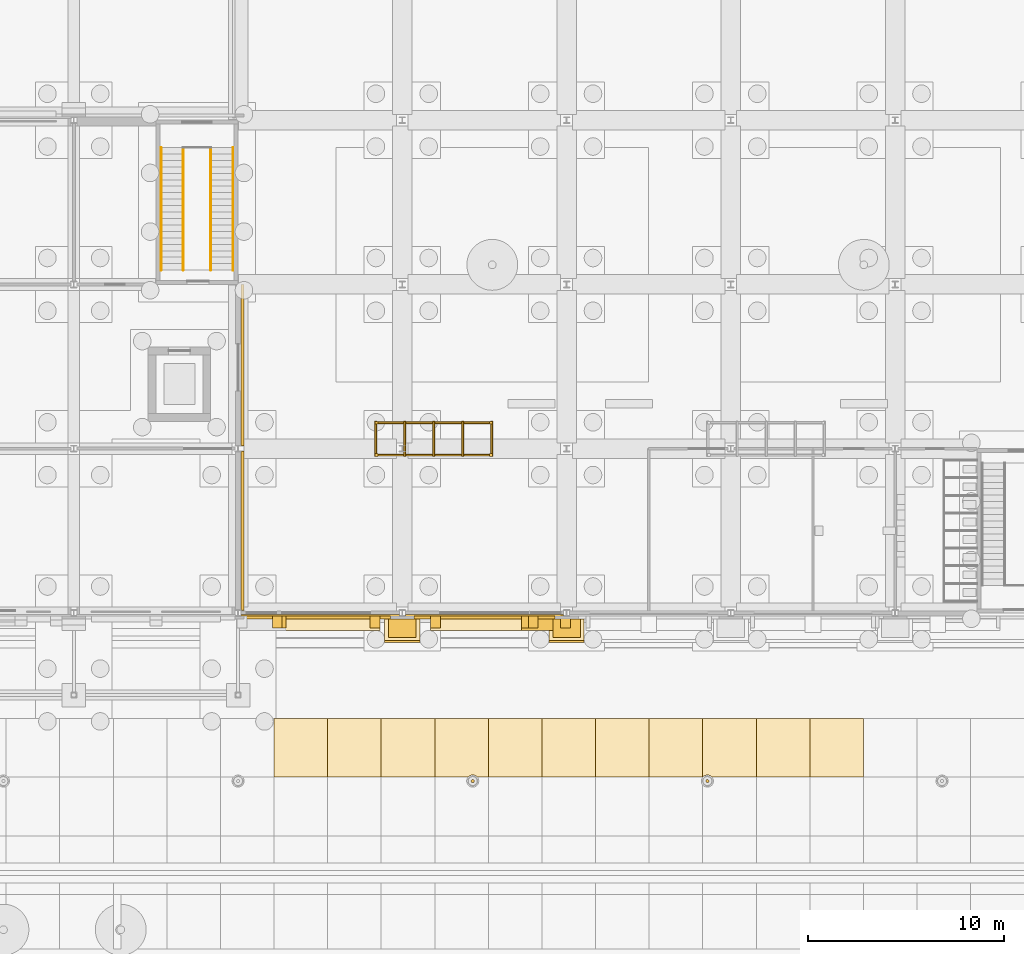
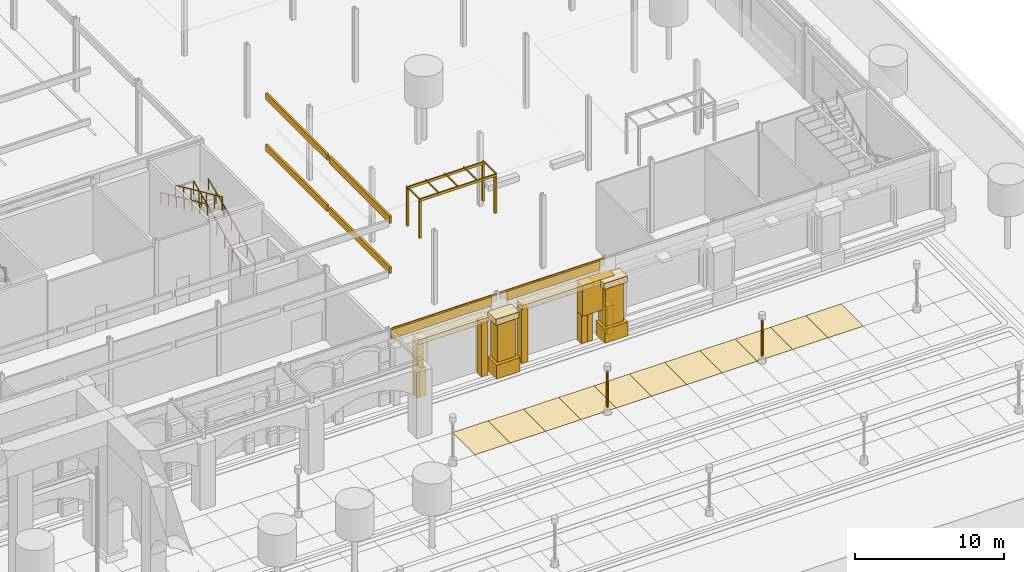
# One storey, part 162 of 222: 37 coverings, 11 shading devices, 4 railings.
"""IFC4 building model written with IfcOpenShell, lengths in metres."""

from ifc_helpers import new_model, si_unit, direction, frame, origin, origin_2d, place, context, subcontext, project, spatial, polyline, rectangle, circle, outline, extrude, material, layer, layer_set, material_profile, profile_set, type_object, element, save


model = new_model("IFC4")

# Units and contexts
model_context = context("Model", 3, precision=1e-05, world=origin(), true_north=direction((0.0, 1.0)))
body_context = subcontext(model_context, "Body", "Model", "MODEL_VIEW")
ifc_project = project(units=[si_unit("LENGTHUNIT", "METRE"), si_unit("AREAUNIT", "SQUARE_METRE"), si_unit("VOLUMEUNIT", "CUBIC_METRE"), si_unit("PLANEANGLEUNIT", "RADIAN"), si_unit("MASSUNIT", "GRAM", prefix="KILO")], contexts=[model_context])

# Site, building, storey
site_placement = place(None, origin())
site = spatial("IfcSite", under=ifc_project, at=site_placement, CompositionType="ELEMENT")
building_placement = place(site_placement, origin())
building = spatial("IfcBuilding", under=site, at=building_placement, Name="Sava Quay Ferry Terminal", CompositionType="ELEMENT")
storey_placement = place(building_placement, origin())
storey = spatial("IfcBuildingStorey", under=building, at=storey_placement, Name="L00", CompositionType="ELEMENT", Elevation=0.0)

# Coverings
ifc_material_1 = material(Name="Limestone Mutalj", Category="masonry")
ifc_layer_1 = layer(ifc_material_1, 0.030029296875)
ifc_layer_set_1 = layer_set([ifc_layer_1], Name="Limestone Mutalj")
covering_type_1 = type_object("IfcCoveringType", Name="Court paving tile 30", PredefinedType="FLOORING", material=ifc_layer_set_1)
covering_1_placement = place(storey_placement, origin())
element("IfcCovering", 1, at=covering_1_placement, inside=storey, type_object=covering_type_1, Name="Limestone paving tile", PredefinedType="FLOORING", context=body_context, shape_type="SweptSolid", body=[
    extrude(outline(polyline([(133.320068359375, 16.800048828125), (133.320068359375, 19.800048828125), (130.580078125, 19.800048828125), (130.580078125, 16.800048828125), (133.320068359375, 16.800048828125)])), origin(), (0.0, 0.0, 1.0), 0.030029296875),
])
covering_2_placement = place(storey_placement, origin())
element("IfcCovering", 2, at=covering_2_placement, inside=storey, type_object=covering_type_1, Name="Limestone paving tile", PredefinedType="FLOORING", context=body_context, shape_type="SweptSolid", body=[
    extrude(outline(polyline([(138.800048828125, 16.800048828125), (138.800048828125, 19.800048828125), (136.06005859375, 19.800048828125), (136.06005859375, 16.800048828125), (137.762939453125, 16.800048828125), (137.781005859375, 16.820068359375), (137.802978515625, 16.839111328125), (137.826904296875, 16.85693359375), (137.85302734375, 16.873046875), (137.881103515625, 16.885986328125), (137.909912109375, 16.89599609375), (137.93994140625, 16.904052734375), (137.969970703125, 16.908935546875), (138.0, 16.909912109375), (138.031005859375, 16.907958984375), (138.06103515625, 16.904052734375), (138.090087890625, 16.89599609375), (138.118896484375, 16.885986328125), (138.14697265625, 16.873046875), (138.173095703125, 16.85693359375), (138.197021484375, 16.839111328125), (138.218994140625, 16.820068359375), (138.237060546875, 16.800048828125), (138.800048828125, 16.800048828125)])), origin(), (0.0, 0.0, 1.0), 0.030029296875),
])
covering_3_placement = place(storey_placement, origin())
element("IfcCovering", 3, at=covering_3_placement, inside=storey, type_object=covering_type_1, Name="Limestone paving tile", PredefinedType="FLOORING", context=body_context, shape_type="SweptSolid", body=[
    extrude(outline(polyline([(144.280029296875, 16.800048828125), (144.280029296875, 19.800048828125), (141.5400390625, 19.800048828125), (141.5400390625, 16.800048828125), (144.280029296875, 16.800048828125)])), origin(), (0.0, 0.0, 1.0), 0.030029296875),
])
covering_4_placement = place(storey_placement, origin())
element("IfcCovering", 4, at=covering_4_placement, inside=storey, type_object=covering_type_1, Name="Limestone paving tile", PredefinedType="FLOORING", context=body_context, shape_type="SweptSolid", body=[
    extrude(outline(polyline([(149.760009765625, 16.800048828125), (149.760009765625, 19.800048828125), (147.02001953125, 19.800048828125), (147.02001953125, 16.800048828125), (149.760009765625, 16.800048828125)])), origin(), (0.0, 0.0, 1.0), 0.030029296875),
])
covering_5_placement = place(storey_placement, origin())
element("IfcCovering", 5, at=covering_5_placement, inside=storey, type_object=covering_type_1, Name="Limestone paving tile", PredefinedType="FLOORING", context=body_context, shape_type="SweptSolid", body=[
    extrude(outline(polyline([(155.239990234375, 16.800048828125), (155.239990234375, 19.800048828125), (152.5, 19.800048828125), (152.5, 16.800048828125), (155.239990234375, 16.800048828125)])), origin(), (0.0, 0.0, 1.0), 0.030029296875),
])
ifc_material_2 = material(Name="Red sandstone Vrsac", Category="masonry")
ifc_layer_2 = layer(ifc_material_2, 0.030029296875)
ifc_layer_set_2 = layer_set([ifc_layer_2], Name="Red sandstone Vrsac")
covering_type_2 = type_object("IfcCoveringType", Name="Court paving tile sandstone 30", PredefinedType="FLOORING", material=ifc_layer_set_2)
covering_6_placement = place(storey_placement, origin())
element("IfcCovering", 6, at=covering_6_placement, inside=storey, type_object=covering_type_2, Name="Sandstone paving tile", PredefinedType="FLOORING", context=body_context, shape_type="SweptSolid", body=[
    extrude(outline(polyline([(130.580078125, 16.800048828125), (130.580078125, 19.800048828125), (127.840087890625, 19.800048828125), (127.840087890625, 16.800048828125), (130.580078125, 16.800048828125)])), origin(), (0.0, 0.0, 1.0), 0.030029296875),
])
covering_7_placement = place(storey_placement, origin())
element("IfcCovering", 7, at=covering_7_placement, inside=storey, type_object=covering_type_2, Name="Sandstone paving tile", PredefinedType="FLOORING", context=body_context, shape_type="SweptSolid", body=[
    extrude(outline(polyline([(136.06005859375, 16.800048828125), (136.06005859375, 19.800048828125), (133.320068359375, 19.800048828125), (133.320068359375, 16.800048828125), (136.06005859375, 16.800048828125)])), origin(), (0.0, 0.0, 1.0), 0.030029296875),
])
covering_8_placement = place(storey_placement, origin())
element("IfcCovering", 8, at=covering_8_placement, inside=storey, type_object=covering_type_2, Name="Sandstone paving tile", PredefinedType="FLOORING", context=body_context, shape_type="SweptSolid", body=[
    extrude(outline(polyline([(141.5400390625, 16.800048828125), (141.5400390625, 19.800048828125), (138.800048828125, 19.800048828125), (138.800048828125, 16.800048828125), (141.5400390625, 16.800048828125)])), origin(), (0.0, 0.0, 1.0), 0.030029296875),
])
covering_9_placement = place(storey_placement, origin())
element("IfcCovering", 9, at=covering_9_placement, inside=storey, type_object=covering_type_2, Name="Sandstone paving tile", PredefinedType="FLOORING", context=body_context, shape_type="SweptSolid", body=[
    extrude(outline(polyline([(147.02001953125, 16.800048828125), (147.02001953125, 19.800048828125), (144.280029296875, 19.800048828125), (144.280029296875, 16.800048828125), (147.02001953125, 16.800048828125)])), origin(), (0.0, 0.0, 1.0), 0.030029296875),
])
covering_10_placement = place(storey_placement, origin())
element("IfcCovering", 10, at=covering_10_placement, inside=storey, type_object=covering_type_2, Name="Sandstone paving tile", PredefinedType="FLOORING", context=body_context, shape_type="SweptSolid", body=[
    extrude(outline(polyline([(152.5, 16.800048828125), (152.5, 19.800048828125), (149.760009765625, 19.800048828125), (149.760009765625, 16.800048828125), (149.762939453125, 16.800048828125), (149.781005859375, 16.820068359375), (149.802978515625, 16.839111328125), (149.826904296875, 16.85693359375), (149.85302734375, 16.873046875), (149.881103515625, 16.885986328125), (149.909912109375, 16.89599609375), (149.93994140625, 16.904052734375), (149.969970703125, 16.908935546875), (150.0, 16.909912109375), (150.031005859375, 16.907958984375), (150.06103515625, 16.904052734375), (150.090087890625, 16.89599609375), (150.118896484375, 16.885986328125), (150.14697265625, 16.873046875), (150.173095703125, 16.85693359375), (150.197021484375, 16.839111328125), (150.218994140625, 16.820068359375), (150.237060546875, 16.800048828125), (152.5, 16.800048828125)])), origin(), (0.0, 0.0, 1.0), 0.030029296875),
])
covering_11_placement = place(storey_placement, origin())
element("IfcCovering", 11, at=covering_11_placement, inside=storey, type_object=covering_type_2, Name="Sandstone paving tile", PredefinedType="FLOORING", context=body_context, shape_type="SweptSolid", body=[
    extrude(outline(polyline([(157.97998046875, 16.800048828125), (157.97998046875, 19.800048828125), (155.239990234375, 19.800048828125), (155.239990234375, 16.800048828125), (157.97998046875, 16.800048828125)])), origin(), (0.0, 0.0, 1.0), 0.030029296875),
])
ifc_material_3 = material(Name="Limestone Mutalj", Category="masonry")
ifc_layer_3 = layer(ifc_material_3, 1.10009765625)
ifc_layer_set_3 = layer_set([ifc_layer_3], Name="Limestone Mutalj")
covering_type_3 = type_object("IfcCoveringType", Name="Giant order capital 1100", PredefinedType="MOLDING", material=ifc_layer_set_3)
for number, where, z_axis, x_axis, name in (
    (12, (134.39990234375, 24.340087890625, 4.39990234375), (0.0, 0.0, 1.0), (1.0, 0.0, 0.0), "Giant order capital"),
    (13, (142.800048828125, 24.340087890625, 4.39990234375), (0.0, 0.0, 1.0), (1.0, 0.0, 0.0), "Giant order capital"),
):
    element("IfcCovering", number, at=place(storey_placement, frame(where, z_axis=z_axis, x_axis=x_axis)), inside=storey, type_object=covering_type_3, Name=name, PredefinedType="MOLDING", context=body_context, shape_type="SweptSolid", body=[
        extrude(rectangle(XDim=1.800048828125, YDim=1.10009765625, at=origin_2d()), origin(), (0.0, 0.0, 1.0), 0.5),
    ])
ifc_material_4 = material(Name="Red sandstone Vrsac", Category="masonry")
ifc_layer_4 = layer(ifc_material_4, 1.199951171875)
ifc_layer_set_4 = layer_set([ifc_layer_4], Name="Red sandstone Vrsac")
covering_type_4 = type_object("IfcCoveringType", Name="Giant order pier block 1200", PredefinedType="MOLDING", material=ifc_layer_set_4)
for number, where, z_axis, x_axis, name in (
    (14, (134.39990234375, 24.2900390625, 0.06005859375), (0.0, 0.0, 1.0), (1.0, 0.0, 0.0), "Giant order pier block"),
    (15, (142.800048828125, 24.2900390625, 0.06005859375), (0.0, 0.0, 1.0), (1.0, 0.0, 0.0), "Giant order pier block"),
):
    element("IfcCovering", number, at=place(storey_placement, frame(where, z_axis=z_axis, x_axis=x_axis)), inside=storey, type_object=covering_type_4, Name=name, PredefinedType="MOLDING", context=body_context, shape_type="SweptSolid", body=[
        extrude(rectangle(XDim=1.800048828125, YDim=1.199951171875, at=origin_2d()), origin(), (0.0, 0.0, 1.0), 1.139892578125),
    ])
ifc_material_5 = material(Name="Limestone Mutalj", Category="masonry")
ifc_layer_5 = layer(ifc_material_5, 0.949951171875)
ifc_layer_set_5 = layer_set([ifc_layer_5], Name="Limestone Mutalj")
covering_type_5 = type_object("IfcCoveringType", Name="Giant order pilaster 950", PredefinedType="CLADDING", material=ifc_layer_set_5)
for number, where, z_axis, x_axis, name in (
    (16, (134.39990234375, 24.4150390625, 1.2001953125), (0.0, 0.0, 1.0), (1.0, 0.0, 0.0), "Giant order pilaster"),
    (17, (142.800048828125, 24.4150390625, 1.2001953125), (0.0, 0.0, 1.0), (1.0, 0.0, 0.0), "Giant order pilaster"),
):
    element("IfcCovering", number, at=place(storey_placement, frame(where, z_axis=z_axis, x_axis=x_axis)), inside=storey, type_object=covering_type_5, Name=name, PredefinedType="CLADDING", context=body_context, shape_type="SweptSolid", body=[
        extrude(rectangle(XDim=1.39990234375, YDim=0.949951171875, at=origin_2d()), origin(), (0.0, 0.0, 1.0), 3.199951171875),
    ])

# Railings
ifc_material_6 = material(Name="Steel S355", Category="steel")
railing_type_1 = type_object("IfcRailingType", Name="Guard 1100", PredefinedType="GUARDRAIL", material=ifc_material_6)
railing_1_placement = place(storey_placement, frame((124.60009765625, 42.72998046875, 0.14990234375)))
element("IfcRailing", 18, at=railing_1_placement, inside=storey, type_object=railing_type_1, Name="Guard at stair well ST-P2 L00", PredefinedType="GUARDRAIL", context=body_context, shape_type="SweptSolid", body=[
    extrude(circle(Radius=0.02392578125, at=origin_2d()), frame((0.0, 0.0, 1.076171875), z_axis=(0.0, 0.910361621584, 0.413813627068), x_axis=(-1.0, 0.0, 0.0)), (0.0, 0.0, 1.0), 6.887451171875),
    extrude(circle(Radius=0.02099609375, at=origin_2d()), origin(), (0.0, 0.0, 1.0), 1.052001953125),
    extrude(circle(Radius=0.02099609375, at=origin_2d()), frame((0.0, 1.044921875, 0.47509765625)), (0.0, 0.0, 1.0), 1.052001953125),
    extrude(circle(Radius=0.02099609375, at=origin_2d()), frame((0.0, 2.090087890625, 0.949951171875)), (0.0, 0.0, 1.0), 1.052001953125),
    extrude(circle(Radius=0.02099609375, at=origin_2d()), frame((0.0, 3.135009765625, 1.425048828125)), (0.0, 0.0, 1.0), 1.052001953125),
    extrude(circle(Radius=0.02099609375, at=origin_2d()), frame((0.0, 4.179931640625, 1.900146484375)), (0.0, 0.0, 1.0), 1.052001953125),
    extrude(circle(Radius=0.02099609375, at=origin_2d()), frame((0.0, 5.22509765625, 2.375)), (0.0, 0.0, 1.0), 1.052001953125),
    extrude(circle(Radius=0.02099609375, at=origin_2d()), frame((0.0, 6.27001953125, 2.85009765625)), (0.0, 0.0, 1.0), 1.052001953125),
])
railing_2_placement = place(storey_placement, frame((123.199951171875, 49.0, 3.14990234375)))
element("IfcRailing", 19, at=railing_2_placement, inside=storey, type_object=railing_type_1, Name="Guard at stair well ST-P2 L00", PredefinedType="GUARDRAIL", context=body_context, shape_type="SweptSolid", body=[
    extrude(circle(Radius=0.02392578125, at=origin_2d()), frame((0.0, 0.0, 1.076171875), z_axis=(0.0, -0.910361621584, 0.413813627068), x_axis=(1.0, 0.0, 0.0)), (0.0, 0.0, 1.0), 6.887451171875),
    extrude(circle(Radius=0.02099609375, at=origin_2d()), origin(), (0.0, 0.0, 1.0), 1.052001953125),
    extrude(circle(Radius=0.02099609375, at=origin_2d()), frame((0.0, -1.044921875, 0.47509765625)), (0.0, 0.0, 1.0), 1.052001953125),
    extrude(circle(Radius=0.02099609375, at=origin_2d()), frame((0.0, -2.090087890625, 0.949951171875)), (0.0, 0.0, 1.0), 1.052001953125),
    extrude(circle(Radius=0.02099609375, at=origin_2d()), frame((0.0, -3.135009765625, 1.425048828125)), (0.0, 0.0, 1.0), 1.052001953125),
    extrude(circle(Radius=0.02099609375, at=origin_2d()), frame((0.0, -4.179931640625, 1.900146484375)), (0.0, 0.0, 1.0), 1.052001953125),
    extrude(circle(Radius=0.02099609375, at=origin_2d()), frame((0.0, -5.22509765625, 2.375)), (0.0, 0.0, 1.0), 1.052001953125),
    extrude(circle(Radius=0.02099609375, at=origin_2d()), frame((0.0, -6.27001953125, 2.85009765625)), (0.0, 0.0, 1.0), 1.052001953125),
])

# Coverings
ifc_material_7 = material(Name="Steel S355", Category="steel")
ifc_layer_6 = layer(ifc_material_7, 0.159912109375)
ifc_layer_set_6 = layer_set([ifc_layer_6], Name="Steel S355")
covering_type_6 = type_object("IfcCoveringType", Name="Lamp standard column 160", PredefinedType="CLADDING", material=ifc_layer_set_6)
for number, where, z_axis, x_axis, name in (
    (20, (138.0, 16.60009765625, 3.550048828125), (0.0, 0.0, -1.0), (1.0, 0.0, 0.0), "Lamp standard column"),
    (21, (150.0, 16.60009765625, 3.550048828125), (0.0, 0.0, -1.0), (1.0, 0.0, 0.0), "Lamp standard column"),
):
    element("IfcCovering", number, at=place(storey_placement, frame(where, z_axis=z_axis, x_axis=x_axis)), inside=storey, type_object=covering_type_6, Name=name, PredefinedType="CLADDING", context=body_context, shape_type="SweptSolid", body=[
        extrude(circle(Radius=0.080078125, at=origin_2d()), origin(), (0.0, 0.0, 1.0), 3.050048828125),
    ])
ifc_material_8 = material(Name="Limestone Mutalj", Category="masonry")
ifc_layer_7 = layer(ifc_material_8, 0.14990234375)
ifc_layer_set_7 = layer_set([ifc_layer_7], Name="Limestone Mutalj")
covering_type_7 = type_object("IfcCoveringType", Name="Limestone string course 150", PredefinedType="CLADDING", material=ifc_layer_set_7)
covering_12_placement = place(storey_placement, frame((0.0, 0.0, 5.25)))
element("IfcCovering", 22, at=covering_12_placement, inside=storey, type_object=covering_type_7, Name="String course V-S", PredefinedType="CLADDING", context=body_context, shape_type="SweptSolid", body=[
    extrude(outline(polyline([(126.0, 25.0400390625), (133.800048828125, 25.0400390625), (133.800048828125, 24.889892578125), (126.0, 24.889892578125), (126.0, 25.0400390625)])), origin(), (0.0, 0.0, 1.0), 0.75),
])
covering_13_placement = place(storey_placement, frame((0.0, 0.0, 5.25)))
element("IfcCovering", 23, at=covering_13_placement, inside=storey, type_object=covering_type_7, Name="String course V-S", PredefinedType="CLADDING", context=body_context, shape_type="SweptSolid", body=[
    extrude(outline(polyline([(135.0, 25.0400390625), (142.199951171875, 25.0400390625), (142.199951171875, 24.889892578125), (135.0, 24.889892578125), (135.0, 25.0400390625)])), origin(), (0.0, 0.0, 1.0), 0.75),
])

# Shading devices
ifc_material_9 = material(Name="Glulam GL28h", Category="wood")
ifc_material_profile_1 = material_profile(ifc_material_9, rectangle(XDim=0.10009765625, YDim=0.199951171875, at=origin_2d()), Name="Pergola 100 x 200")
ifc_profile_set_1 = profile_set([ifc_material_profile_1], Name="Glulam GL28h")
shading_device_type_1 = type_object("IfcShadingDeviceType", Name="Pergola beam 100x200", PredefinedType="USERDEFINED", material=ifc_profile_set_1)
for number, where, z_axis, x_axis, name in (
    (24, (133.0, 33.27490234375, 9.10009765625), (1.0, 0.0, 0.0), (0.0, 1.0, 0.0), "Pergola beam"),
    (25, (133.0, 34.925048828125, 9.10009765625), (1.0, 0.0, 0.0), (0.0, 1.0, 0.0), "Pergola beam"),
):
    element("IfcShadingDevice", number, at=place(storey_placement, frame(where, z_axis=z_axis, x_axis=x_axis)), inside=storey, type_object=shading_device_type_1, Name=name, ObjectType="PERGOLA BEAM", PredefinedType="USERDEFINED", context=body_context, shape_type="SweptSolid", body=[
        extrude(rectangle(XDim=0.10009765625, YDim=0.199951171875, at=origin_2d()), origin(), (0.0, 0.0, 1.0), 6.0),
    ])
ifc_material_10 = material(Name="Glulam GL28h", Category="wood")
ifc_material_profile_2 = material_profile(ifc_material_10, rectangle(XDim=0.14990234375, YDim=0.14990234375, at=origin_2d()), Name="Pergola 150 x 150")
ifc_profile_set_2 = profile_set([ifc_material_profile_2], Name="Glulam GL28h")
shading_device_type_2 = type_object("IfcShadingDeviceType", Name="Pergola post 150", PredefinedType="USERDEFINED", material=ifc_profile_set_2)
for number, where, z_axis, x_axis, name in (
    (26, (133.074951171875, 33.27490234375, 6.0), (0.0, 0.0, 1.0), (1.0, 0.0, 0.0), "Pergola post"),
    (27, (138.925048828125, 33.27490234375, 6.0), (0.0, 0.0, 1.0), (1.0, 0.0, 0.0), "Pergola post"),
    (28, (133.074951171875, 34.925048828125, 6.0), (0.0, 0.0, 1.0), (1.0, 0.0, 0.0), "Pergola post"),
    (29, (138.925048828125, 34.925048828125, 6.0), (0.0, 0.0, 1.0), (1.0, 0.0, 0.0), "Pergola post"),
):
    element("IfcShadingDevice", number, at=place(storey_placement, frame(where, z_axis=z_axis, x_axis=x_axis)), inside=storey, type_object=shading_device_type_2, Name=name, ObjectType="PERGOLA POST", PredefinedType="USERDEFINED", context=body_context, shape_type="SweptSolid", body=[
        extrude(rectangle(XDim=0.14990234375, YDim=0.14990234375, at=origin_2d()), origin(), (0.0, 0.0, 1.0), 3.0),
    ])
ifc_material_11 = material(Name="Glulam GL28h", Category="wood")
ifc_material_profile_3 = material_profile(ifc_material_11, rectangle(XDim=0.06005859375, YDim=0.10009765625, at=origin_2d()), Name="Pergola 60 x 100")
ifc_profile_set_3 = profile_set([ifc_material_profile_3], Name="Glulam GL28h")
shading_device_type_3 = type_object("IfcShadingDeviceType", Name="Pergola rafter 60x100", PredefinedType="USERDEFINED", material=ifc_profile_set_3)
for number, where, z_axis, x_axis, name in (
    (30, (133.030029296875, 33.199951171875, 9.22998046875), (0.0, 1.0, 0.0), (0.0, 0.0, 1.0), "Pergola rafter"),
    (31, (134.514892578125, 33.199951171875, 9.22998046875), (0.0, 1.0, 0.0), (0.0, 0.0, 1.0), "Pergola rafter"),
    (32, (136.0, 33.199951171875, 9.22998046875), (0.0, 1.0, 0.0), (0.0, 0.0, 1.0), "Pergola rafter"),
    (33, (137.485107421875, 33.199951171875, 9.22998046875), (0.0, 1.0, 0.0), (0.0, 0.0, 1.0), "Pergola rafter"),
    (34, (138.969970703125, 33.199951171875, 9.22998046875), (0.0, 1.0, 0.0), (0.0, 0.0, 1.0), "Pergola rafter"),
):
    element("IfcShadingDevice", number, at=place(storey_placement, frame(where, z_axis=z_axis, x_axis=x_axis)), inside=storey, type_object=shading_device_type_3, Name=name, ObjectType="PERGOLA RAFTER", PredefinedType="USERDEFINED", context=body_context, shape_type="SweptSolid", body=[
        extrude(rectangle(XDim=0.06005859375, YDim=0.10009765625, at=origin_2d()), origin(), (0.0, 0.0, 1.0), 1.800048828125),
    ])

# Coverings
ifc_material_12 = material(Name="Limestone Mutalj", Category="masonry")
ifc_layer_8 = layer(ifc_material_12, 0.60009765625)
ifc_layer_set_8 = layer_set([ifc_layer_8], Name="Limestone Mutalj")
covering_type_8 = type_object("IfcCoveringType", Name="Reveal jamb 600", PredefinedType="MOLDING", material=ifc_layer_set_8)
covering_14_placement = place(storey_placement, frame((128.199951171875, 24.739990234375, 0.06005859375), z_axis=(0.0, 0.0, 1.0), x_axis=(1.0, 0.0, 0.0)))
element("IfcCovering", 35, at=covering_14_placement, inside=storey, type_object=covering_type_8, Name="Reveal jamb", PredefinedType="MOLDING", context=body_context, shape_type="SweptSolid", body=[
    extrude(rectangle(XDim=0.5, YDim=0.60009765625, at=origin_2d()), origin(), (0.0, 0.0, 1.0), 2.340087890625),
])
for number, where, z_axis, x_axis, name in (
    (36, (128.0, 24.739990234375, 0.06005859375), (0.0, 0.0, 1.0), (1.0, 0.0, 0.0), "Reveal jamb"),
    (37, (133.0, 24.739990234375, 0.06005859375), (0.0, 0.0, 1.0), (1.0, 0.0, 0.0), "Reveal jamb"),
    (38, (136.10009765625, 24.739990234375, 0.06005859375), (0.0, 0.0, 1.0), (1.0, 0.0, 0.0), "Reveal jamb"),
    (39, (141.10009765625, 24.739990234375, 0.06005859375), (0.0, 0.0, 1.0), (1.0, 0.0, 0.0), "Reveal jamb"),
):
    element("IfcCovering", number, at=place(storey_placement, frame(where, z_axis=z_axis, x_axis=x_axis)), inside=storey, type_object=covering_type_8, Name=name, PredefinedType="MOLDING", context=body_context, shape_type="SweptSolid", body=[
        extrude(rectangle(XDim=0.5, YDim=0.60009765625, at=origin_2d()), origin(), (0.0, 0.0, 1.0), 4.43994140625),
    ])
for number, where, z_axis, x_axis, name in (
    (40, (140.75, 24.739990234375, 0.06005859375), (0.0, 0.0, 1.0), (1.0, 0.0, 0.0), "Reveal jamb"),
    (41, (142.75, 24.739990234375, 0.06005859375), (0.0, 0.0, 1.0), (1.0, 0.0, 0.0), "Reveal jamb"),
):
    element("IfcCovering", number, at=place(storey_placement, frame(where, z_axis=z_axis, x_axis=x_axis)), inside=storey, type_object=covering_type_8, Name=name, PredefinedType="MOLDING", context=body_context, shape_type="SweptSolid", body=[
        extrude(rectangle(XDim=0.5, YDim=0.60009765625, at=origin_2d()), origin(), (0.0, 0.0, 1.0), 2.340087890625),
    ])
ifc_material_13 = material(Name="Limestone Mutalj", Category="masonry")
ifc_layer_9 = layer(ifc_material_13, 0.75)
ifc_layer_set_9 = layer_set([ifc_layer_9], Name="Limestone Mutalj")
covering_type_9 = type_object("IfcCoveringType", Name="Reveal lintel 750", PredefinedType="MOLDING", material=ifc_layer_set_9)
for number, where, z_axis, x_axis, name in (
    (42, (130.5, 24.6650390625, 4.5), (0.0, 0.0, 1.0), (1.0, 0.0, 0.0), "Reveal lintel"),
    (43, (138.60009765625, 24.6650390625, 4.5), (0.0, 0.0, 1.0), (1.0, 0.0, 0.0), "Reveal lintel"),
):
    element("IfcCovering", number, at=place(storey_placement, frame(where, z_axis=z_axis, x_axis=x_axis)), inside=storey, type_object=covering_type_9, Name=name, PredefinedType="MOLDING", context=body_context, shape_type="SweptSolid", body=[
        extrude(rectangle(XDim=5.5, YDim=0.75, at=origin_2d()), origin(), (0.0, 0.0, 1.0), 0.39990234375),
    ])
covering_15_placement = place(storey_placement, frame((141.75, 24.6650390625, 2.39990234375), z_axis=(0.0, 0.0, 1.0), x_axis=(1.0, 0.0, 0.0)))
element("IfcCovering", 44, at=covering_15_placement, inside=storey, type_object=covering_type_9, Name="Reveal lintel", PredefinedType="MOLDING", context=body_context, shape_type="SweptSolid", body=[
    extrude(rectangle(XDim=2.5, YDim=0.75, at=origin_2d()), origin(), (0.0, 0.0, 1.0), 2.5),
])
ifc_material_14 = material(Name="Limestone Mutalj", Category="masonry")
ifc_layer_10 = layer(ifc_material_14, 0.14990234375)
ifc_layer_set_10 = layer_set([ifc_layer_10], Name="Limestone Mutalj")
covering_type_10 = type_object("IfcCoveringType", Name="Slab edge fascia 150", PredefinedType="CLADDING", material=ifc_layer_set_10)
covering_16_placement = place(storey_placement, frame((0.0, 0.0, 5.449951171875)))
element("IfcCovering", 45, at=covering_16_placement, inside=storey, type_object=covering_type_10, Name="Slab edge fascia", PredefinedType="CLADDING", context=body_context, shape_type="SweptSolid", body=[
    extrude(outline(polyline([(134.25, 25.112060546875), (126.14990234375, 25.112060546875), (126.14990234375, 24.9619140625), (134.25, 24.9619140625), (134.25, 25.112060546875)])), origin(), (0.0, 0.0, 1.0), 0.550048828125),
])
covering_17_placement = place(storey_placement, frame((0.0, 0.0, 5.449951171875)))
element("IfcCovering", 46, at=covering_17_placement, inside=storey, type_object=covering_type_10, Name="Slab edge fascia", PredefinedType="CLADDING", context=body_context, shape_type="SweptSolid", body=[
    extrude(outline(polyline([(142.64990234375, 25.112060546875), (134.550048828125, 25.112060546875), (134.550048828125, 24.9619140625), (142.64990234375, 24.9619140625), (142.64990234375, 25.112060546875)])), origin(), (0.0, 0.0, 1.0), 0.550048828125),
])
covering_18_placement = place(storey_placement, frame((0.0, 0.0, 10.280029296875)))
element("IfcCovering", 47, at=covering_18_placement, inside=storey, type_object=covering_type_10, Name="Slab edge fascia", PredefinedType="CLADDING", context=body_context, shape_type="SweptSolid", body=[
    extrude(outline(polyline([(126.14794921875, 33.449951171875), (126.14794921875, 25.35009765625), (126.298095703125, 25.35009765625), (126.298095703125, 33.449951171875), (126.14794921875, 33.449951171875)])), origin(), (0.0, 0.0, 1.0), 0.52001953125),
])
covering_19_placement = place(storey_placement, frame((0.0, 0.0, 10.280029296875)))
element("IfcCovering", 48, at=covering_19_placement, inside=storey, type_object=covering_type_10, Name="Slab edge fascia", PredefinedType="CLADDING", context=body_context, shape_type="SweptSolid", body=[
    extrude(outline(polyline([(126.14794921875, 42.0), (126.14794921875, 33.75), (126.298095703125, 33.75), (126.298095703125, 42.0), (126.14794921875, 42.0)])), origin(), (0.0, 0.0, 1.0), 0.52001953125),
])
covering_20_placement = place(storey_placement, frame((0.0, 0.0, 14.47998046875)))
element("IfcCovering", 49, at=covering_20_placement, inside=storey, type_object=covering_type_10, Name="Slab edge fascia", PredefinedType="CLADDING", context=body_context, shape_type="SweptSolid", body=[
    extrude(outline(polyline([(126.14794921875, 42.0), (126.14794921875, 33.72998046875), (126.298095703125, 33.72998046875), (126.298095703125, 42.0), (126.14794921875, 42.0)])), origin(), (0.0, 0.0, 1.0), 0.52001953125),
])
covering_21_placement = place(storey_placement, frame((0.0, 0.0, 14.39990234375)))
element("IfcCovering", 50, at=covering_21_placement, inside=storey, type_object=covering_type_10, Name="Slab edge fascia", PredefinedType="CLADDING", context=body_context, shape_type="SweptSolid", body=[
    extrude(outline(polyline([(126.14794921875, 33.469970703125), (126.14794921875, 25.330078125), (126.298095703125, 25.330078125), (126.298095703125, 33.469970703125), (126.14794921875, 33.469970703125)])), origin(), (0.0, 0.0, 1.0), 0.60009765625),
])

# Railings
ifc_material_15 = material(Name="Steel S355", Category="steel")
railing_type_2 = type_object("IfcRailingType", Name="Stair handrail 900", PredefinedType="HANDRAIL", material=ifc_material_15)
railing_3_placement = place(storey_placement, frame((125.739990234375, 42.72998046875, 0.14990234375)))
element("IfcRailing", 51, at=railing_3_placement, inside=storey, type_object=railing_type_2, Name="Handrail ST-P2 L00", PredefinedType="HANDRAIL", context=body_context, shape_type="SweptSolid", body=[
    extrude(circle(Radius=0.02392578125, at=origin_2d()), frame((0.0, 0.0, 0.8759765625), z_axis=(0.0, 0.910361621584, 0.413813627068), x_axis=(-1.0, 0.0, 0.0)), (0.0, 0.0, 1.0), 6.887451171875),
    extrude(circle(Radius=0.02099609375, at=origin_2d()), origin(), (0.0, 0.0, 1.0), 0.851806640625),
    extrude(circle(Radius=0.02099609375, at=origin_2d()), frame((0.0, 1.044921875, 0.47509765625)), (0.0, 0.0, 1.0), 0.851806640625),
    extrude(circle(Radius=0.02099609375, at=origin_2d()), frame((0.0, 2.090087890625, 0.949951171875)), (0.0, 0.0, 1.0), 0.851806640625),
    extrude(circle(Radius=0.02099609375, at=origin_2d()), frame((0.0, 3.135009765625, 1.425048828125)), (0.0, 0.0, 1.0), 0.851806640625),
    extrude(circle(Radius=0.02099609375, at=origin_2d()), frame((0.0, 4.179931640625, 1.900146484375)), (0.0, 0.0, 1.0), 0.851806640625),
    extrude(circle(Radius=0.02099609375, at=origin_2d()), frame((0.0, 5.22509765625, 2.375)), (0.0, 0.0, 1.0), 0.851806640625),
    extrude(circle(Radius=0.02099609375, at=origin_2d()), frame((0.0, 6.27001953125, 2.85009765625)), (0.0, 0.0, 1.0), 0.851806640625),
])
railing_4_placement = place(storey_placement, frame((122.06005859375, 49.0, 3.14990234375)))
element("IfcRailing", 52, at=railing_4_placement, inside=storey, type_object=railing_type_2, Name="Handrail ST-P2 L00", PredefinedType="HANDRAIL", context=body_context, shape_type="SweptSolid", body=[
    extrude(circle(Radius=0.02392578125, at=origin_2d()), frame((0.0, 0.0, 0.8759765625), z_axis=(0.0, -0.910361621584, 0.413813627068), x_axis=(1.0, 0.0, 0.0)), (0.0, 0.0, 1.0), 6.887451171875),
    extrude(circle(Radius=0.02099609375, at=origin_2d()), origin(), (0.0, 0.0, 1.0), 0.851806640625),
    extrude(circle(Radius=0.02099609375, at=origin_2d()), frame((0.0, -1.044921875, 0.47509765625)), (0.0, 0.0, 1.0), 0.851806640625),
    extrude(circle(Radius=0.02099609375, at=origin_2d()), frame((0.0, -2.090087890625, 0.949951171875)), (0.0, 0.0, 1.0), 0.851806640625),
    extrude(circle(Radius=0.02099609375, at=origin_2d()), frame((0.0, -3.135009765625, 1.425048828125)), (0.0, 0.0, 1.0), 0.851806640625),
    extrude(circle(Radius=0.02099609375, at=origin_2d()), frame((0.0, -4.179931640625, 1.900146484375)), (0.0, 0.0, 1.0), 0.851806640625),
    extrude(circle(Radius=0.02099609375, at=origin_2d()), frame((0.0, -5.22509765625, 2.375)), (0.0, 0.0, 1.0), 0.851806640625),
    extrude(circle(Radius=0.02099609375, at=origin_2d()), frame((0.0, -6.27001953125, 2.85009765625)), (0.0, 0.0, 1.0), 0.851806640625),
])

save(model, "model.ifc")
